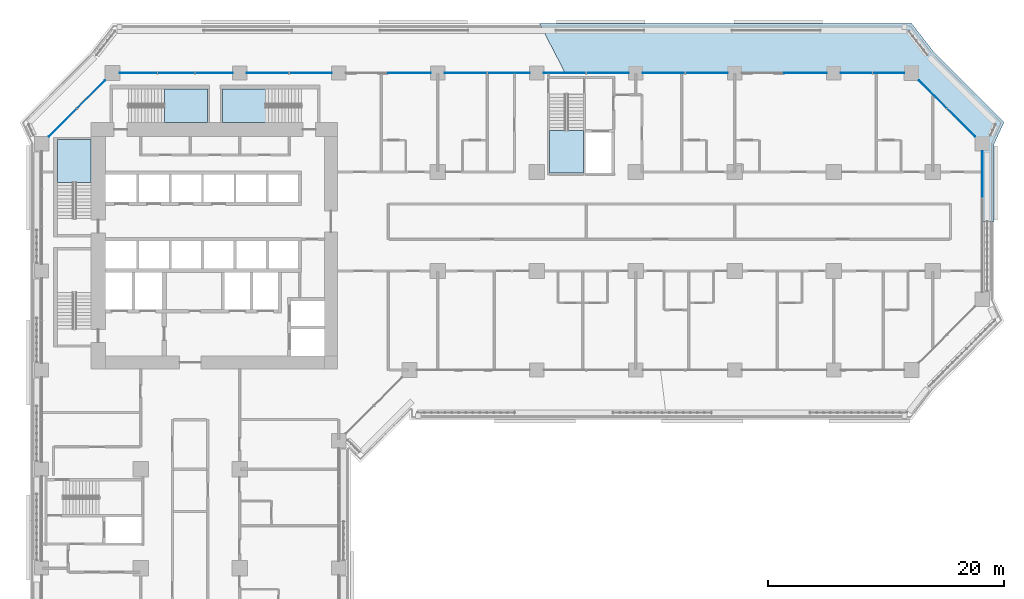
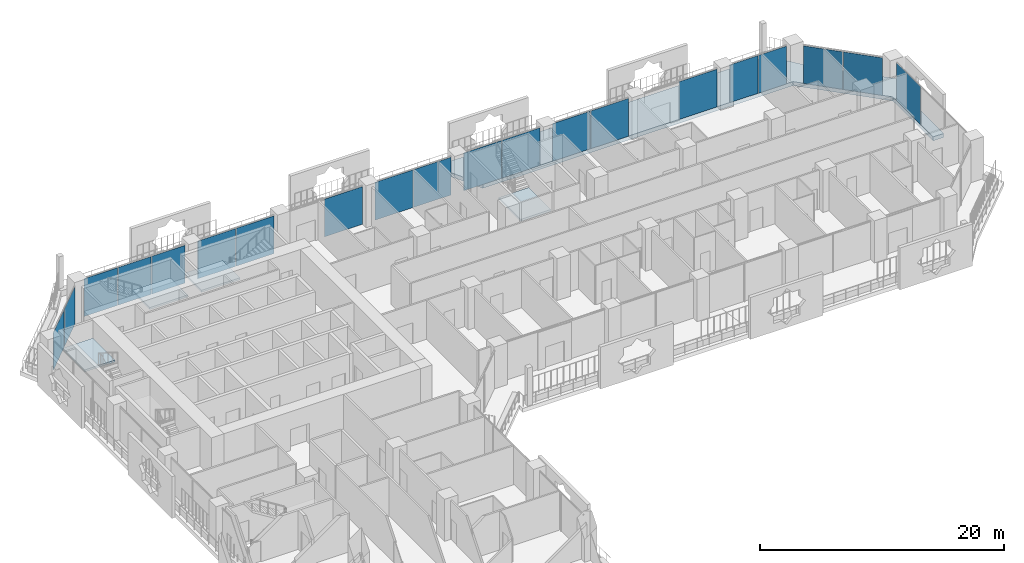
# One storey, part 12 of 28: 20 plates, 5 slabs, 8 elements without a shape of their own.
"""IFC4 building model written with IfcOpenShell, lengths in metres."""

from ifc_helpers import new_model, si_unit, direction, frame, origin, origin_2d, place, context, subcontext, project, spatial, polyline, rectangle, outline, extrude, material, layer, layer_set, type_object, element, aggregate, save


model = new_model("IFC4")

# Units and contexts
model_context = context("Model", 3, precision=1e-05, world=origin(), true_north=direction((0.0, 1.0)))
body_context = subcontext(model_context, "Body", "Model", "MODEL_VIEW")
ifc_project = project(units=[si_unit("LENGTHUNIT", "METRE"), si_unit("AREAUNIT", "SQUARE_METRE"), si_unit("VOLUMEUNIT", "CUBIC_METRE"), si_unit("PLANEANGLEUNIT", "RADIAN"), si_unit("MASSUNIT", "GRAM", prefix="KILO")], contexts=[model_context])

# Site, building, storey
site_placement = place(None, origin())
site = spatial("IfcSite", under=ifc_project, at=site_placement, CompositionType="ELEMENT")
building_placement = place(site_placement, origin())
building = spatial("IfcBuilding", under=site, at=building_placement, Name="Kawkab Arch Medical Tower", CompositionType="ELEMENT")
storey_placement = place(building_placement, frame((0.0, 0.0, 81.199951171875)))
storey = spatial("IfcBuildingStorey", under=building, at=storey_placement, Name="L18", CompositionType="ELEMENT", Elevation=81.199951171875)

# Curtain wall, plate
ifc_material_1 = material(Name="Bronze anodised aluminium curtain wall frame", Category="aluminium")
ifc_layer_1 = layer(ifc_material_1, 0.159912109375)
ifc_layer_set_1 = layer_set([ifc_layer_1], Name="Bronze anodised aluminium curtain wall frame")
curtain_wall_type_1 = type_object("IfcCurtainWallType", Name="CW1 ward curtain wall", PredefinedType="NOTDEFINED", material=ifc_layer_set_1)
placement_1 = place(storey_placement, origin())
curtain_wall_1 = element("IfcCurtainWall", 1, at=placement_1, inside=storey, type_object=curtain_wall_type_1, Name="CW1 Ward curtain wall R09", PredefinedType="NOTDEFINED")
ifc_material_2 = material(Name="Tinted insulating glass, bronze low-e coating", Category="glass")
ifc_layer_2 = layer(ifc_material_2, 0.031982421875)
ifc_layer_set_2 = layer_set([ifc_layer_2], Name="Tinted insulating glass, bronze low-e coating")
plate_type_1 = type_object("IfcPlateType", Name="CW1 glazing unit 32", PredefinedType="CURTAIN_PANEL", material=ifc_layer_set_2)
plate_1_placement = place(storey_placement, frame((79.800048828125, -8.6015625, 0.0), z_axis=(0.0, 0.0, 1.0), x_axis=(0.0, 1.0, 0.0)))
plate_1 = element("IfcPlate", 2, at=plate_1_placement, type_object=plate_type_1, Name="CW1 glazing unit 1.3", PredefinedType="CURTAIN_PANEL", context=body_context, shape_type="SweptSolid", body=[
    extrude(rectangle(XDim=3.953369140625, YDim=0.031982421875, at=origin_2d()), origin(), (0.0, 0.0, 1.0), 3.780029296875),
])
aggregate(curtain_wall_1, [plate_1])

# Curtain wall, plates
curtain_wall_2 = element("IfcCurtainWall", 3, at=placement_1, inside=storey, type_object=curtain_wall_type_1, Name="CW1 Ward curtain wall R11", PredefinedType="NOTDEFINED")
plate_2_placement = place(storey_placement, frame((71.84619140625, 0.0, 0.0), z_axis=(0.0, 0.0, 1.0), x_axis=(-1.0, 0.0, 0.0)))
plate_2 = element("IfcPlate", 4, at=plate_2_placement, type_object=plate_type_1, Name="CW1 glazing unit 1.1", PredefinedType="CURTAIN_PANEL", context=body_context, shape_type="SweptSolid", body=[
    extrude(rectangle(XDim=2.657470703125, YDim=0.031982421875, at=origin_2d()), origin(), (0.0, 0.0, 1.0), 3.780029296875),
])
plate_3_placement = place(storey_placement, frame((69.128662109375, 0.0, 0.0), z_axis=(0.0, 0.0, 1.0), x_axis=(-1.0, 0.0, 0.0)))
plate_3 = element("IfcPlate", 5, at=plate_3_placement, type_object=plate_type_1, Name="CW1 glazing unit 1.2", PredefinedType="CURTAIN_PANEL", context=body_context, shape_type="SweptSolid", body=[
    extrude(rectangle(XDim=2.657470703125, YDim=0.031982421875, at=origin_2d()), origin(), (0.0, 0.0, 1.0), 3.780029296875),
])
plate_4_placement = place(storey_placement, frame((64.800048828125, 0.0, 0.0), z_axis=(0.0, 0.0, 1.0), x_axis=(-1.0, 0.0, 0.0)))
plate_4 = element("IfcPlate", 6, at=plate_4_placement, type_object=plate_type_1, Name="CW1 glazing unit 2.1", PredefinedType="CURTAIN_PANEL", context=body_context, shape_type="SweptSolid", body=[
    extrude(rectangle(XDim=3.60009765625, YDim=0.031982421875, at=origin_2d()), origin(), (0.0, 0.0, 1.0), 3.780029296875),
])
plate_5_placement = place(storey_placement, frame((56.4150390625, 0.0, 0.0), z_axis=(0.0, 0.0, 1.0), x_axis=(-1.0, 0.0, 0.0)))
plate_5 = element("IfcPlate", 7, at=plate_5_placement, type_object=plate_type_1, Name="CW1 glazing unit 3.1", PredefinedType="CURTAIN_PANEL", context=body_context, shape_type="SweptSolid", body=[
    extrude(rectangle(XDim=3.570068359375, YDim=0.031982421875, at=origin_2d()), origin(), (0.0, 0.0, 1.0), 3.780029296875),
])
plate_6_placement = place(storey_placement, frame((52.784912109375, 0.0, 0.0), z_axis=(0.0, 0.0, 1.0), x_axis=(-1.0, 0.0, 0.0)))
plate_6 = element("IfcPlate", 8, at=plate_6_placement, type_object=plate_type_1, Name="CW1 glazing unit 3.2", PredefinedType="CURTAIN_PANEL", context=body_context, shape_type="SweptSolid", body=[
    extrude(rectangle(XDim=3.570068359375, YDim=0.031982421875, at=origin_2d()), origin(), (0.0, 0.0, 1.0), 3.780029296875),
])
plate_7_placement = place(storey_placement, frame((48.014892578125, 0.0, 0.0), z_axis=(0.0, 0.0, 1.0), x_axis=(-1.0, 0.0, 0.0)))
plate_7 = element("IfcPlate", 9, at=plate_7_placement, type_object=plate_type_1, Name="CW1 glazing unit 4.1", PredefinedType="CURTAIN_PANEL", context=body_context, shape_type="SweptSolid", body=[
    extrude(rectangle(XDim=3.570068359375, YDim=0.031982421875, at=origin_2d()), origin(), (0.0, 0.0, 1.0), 3.780029296875),
])
plate_8_placement = place(storey_placement, frame((44.385009765625, 0.0, 0.0), z_axis=(0.0, 0.0, 1.0), x_axis=(-1.0, 0.0, 0.0)))
plate_8 = element("IfcPlate", 10, at=plate_8_placement, type_object=plate_type_1, Name="CW1 glazing unit 4.2", PredefinedType="CURTAIN_PANEL", context=body_context, shape_type="SweptSolid", body=[
    extrude(rectangle(XDim=3.570068359375, YDim=0.031982421875, at=origin_2d()), origin(), (0.0, 0.0, 1.0), 3.780029296875),
])
plate_9_placement = place(storey_placement, frame((39.614990234375, 0.0, 0.0), z_axis=(0.0, 0.0, 1.0), x_axis=(-1.0, 0.0, 0.0)))
plate_9 = element("IfcPlate", 11, at=plate_9_placement, type_object=plate_type_1, Name="CW1 glazing unit 5.1", PredefinedType="CURTAIN_PANEL", context=body_context, shape_type="SweptSolid", body=[
    extrude(rectangle(XDim=3.570068359375, YDim=0.031982421875, at=origin_2d()), origin(), (0.0, 0.0, 1.0), 3.780029296875),
])
plate_10_placement = place(storey_placement, frame((35.985107421875, 0.0, 0.0), z_axis=(0.0, 0.0, 1.0), x_axis=(-1.0, 0.0, 0.0)))
plate_10 = element("IfcPlate", 12, at=plate_10_placement, type_object=plate_type_1, Name="CW1 glazing unit 5.2", PredefinedType="CURTAIN_PANEL", context=body_context, shape_type="SweptSolid", body=[
    extrude(rectangle(XDim=3.570068359375, YDim=0.031982421875, at=origin_2d()), origin(), (0.0, 0.0, 1.0), 3.780029296875),
])
plate_11_placement = place(storey_placement, frame((31.199951171875, 0.0, 0.0), z_axis=(0.0, 0.0, 1.0), x_axis=(-1.0, 0.0, 0.0)))
plate_11 = element("IfcPlate", 13, at=plate_11_placement, type_object=plate_type_1, Name="CW1 glazing unit 6.1", PredefinedType="CURTAIN_PANEL", context=body_context, shape_type="SweptSolid", body=[
    extrude(rectangle(XDim=3.60009765625, YDim=0.031982421875, at=origin_2d()), origin(), (0.0, 0.0, 1.0), 3.780029296875),
])
plate_12_placement = place(storey_placement, frame((22.81494140625, 0.0, 0.0), z_axis=(0.0, 0.0, 1.0), x_axis=(-1.0, 0.0, 0.0)))
plate_12 = element("IfcPlate", 14, at=plate_12_placement, type_object=plate_type_1, Name="CW1 glazing unit 7.1", PredefinedType="CURTAIN_PANEL", context=body_context, shape_type="SweptSolid", body=[
    extrude(rectangle(XDim=3.570068359375, YDim=0.031982421875, at=origin_2d()), origin(), (0.0, 0.0, 1.0), 3.780029296875),
])
plate_13_placement = place(storey_placement, frame((19.18505859375, 0.0, 0.0), z_axis=(0.0, 0.0, 1.0), x_axis=(-1.0, 0.0, 0.0)))
plate_13 = element("IfcPlate", 15, at=plate_13_placement, type_object=plate_type_1, Name="CW1 glazing unit 7.2", PredefinedType="CURTAIN_PANEL", context=body_context, shape_type="SweptSolid", body=[
    extrude(rectangle(XDim=3.570068359375, YDim=0.031982421875, at=origin_2d()), origin(), (0.0, 0.0, 1.0), 3.780029296875),
])
plate_14_placement = place(storey_placement, frame((14.619140625, 0.0, 0.0), z_axis=(0.0, 0.0, 1.0), x_axis=(-1.0, 0.0, 0.0)))
plate_14 = element("IfcPlate", 16, at=plate_14_placement, type_object=plate_type_1, Name="CW1 glazing unit 8.1", PredefinedType="CURTAIN_PANEL", context=body_context, shape_type="SweptSolid", body=[
    extrude(rectangle(XDim=3.16162109375, YDim=0.031982421875, at=origin_2d()), origin(), (0.0, 0.0, 1.0), 3.780029296875),
])
plate_15_placement = place(storey_placement, frame((11.41259765625, 0.0, 0.0), z_axis=(0.0, 0.0, 1.0), x_axis=(-1.0, 0.0, 0.0)))
plate_15 = element("IfcPlate", 17, at=plate_15_placement, type_object=plate_type_1, Name="CW1 glazing unit 8.2", PredefinedType="CURTAIN_PANEL", context=body_context, shape_type="SweptSolid", body=[
    extrude(rectangle(XDim=3.131591796875, YDim=0.031982421875, at=origin_2d()), origin(), (0.0, 0.0, 1.0), 3.780029296875),
])
plate_16_placement = place(storey_placement, frame((8.205810546875, 0.0, 0.0), z_axis=(0.0, 0.0, 1.0), x_axis=(-1.0, 0.0, 0.0)))
plate_16 = element("IfcPlate", 18, at=plate_16_placement, type_object=plate_type_1, Name="CW1 glazing unit 8.3", PredefinedType="CURTAIN_PANEL", context=body_context, shape_type="SweptSolid", body=[
    extrude(rectangle(XDim=3.16162109375, YDim=0.031982421875, at=origin_2d()), origin(), (0.0, 0.0, 1.0), 3.780029296875),
])
aggregate(curtain_wall_2, [plate_2, plate_3, plate_4, plate_5, plate_6, plate_7, plate_8, plate_9, plate_10, plate_11, plate_12, plate_13, plate_14, plate_15, plate_16])

ifc_material_3 = material(Name="Bronze anodised aluminium curtain wall frame", Category="aluminium")
ifc_layer_3 = layer(ifc_material_3, 0.159912109375)
ifc_layer_set_3 = layer_set([ifc_layer_3], Name="Bronze anodised aluminium curtain wall frame")
curtain_wall_type_2 = type_object("IfcCurtainWallType", Name="CW2 chamfer curtain wall", PredefinedType="NOTDEFINED", material=ifc_layer_set_3)
curtain_wall_3 = element("IfcCurtainWall", 19, at=placement_1, inside=storey, type_object=curtain_wall_type_2, Name="CW2 Chamfer curtain wall R10", PredefinedType="NOTDEFINED")
ifc_material_4 = material(Name="Tinted insulating glass, bronze low-e coating", Category="glass")
ifc_layer_4 = layer(ifc_material_4, 0.031982421875)
ifc_layer_set_4 = layer_set([ifc_layer_4], Name="Tinted insulating glass, bronze low-e coating")
plate_type_2 = type_object("IfcPlateType", Name="CW2 glazing unit 32", PredefinedType="CURTAIN_PANEL", material=ifc_layer_set_4)
plate_17_placement = place(storey_placement, frame((77.998046875, -4.197998046875, 0.0), z_axis=(0.0, 0.0, 1.0), x_axis=(-0.707106781187, 0.707106781187, 0.0)))
plate_17 = element("IfcPlate", 20, at=plate_17_placement, type_object=plate_type_2, Name="CW2 glazing unit 1.1", PredefinedType="CURTAIN_PANEL", context=body_context, shape_type="SweptSolid", body=[
    extrude(rectangle(XDim=3.328857421875, YDim=0.031982421875, at=origin_2d()), origin(), (0.0, 0.0, 1.0), 3.760009765625),
])
plate_18_placement = place(storey_placement, frame((75.601806640625, -1.802001953125, 0.0), z_axis=(0.0, 0.0, 1.0), x_axis=(-0.707106781187, 0.707106781187, 0.0)))
plate_18 = element("IfcPlate", 21, at=plate_18_placement, type_object=plate_type_2, Name="CW2 glazing unit 1.2", PredefinedType="CURTAIN_PANEL", context=body_context, shape_type="SweptSolid", body=[
    extrude(rectangle(XDim=3.328857421875, YDim=0.031982421875, at=origin_2d()), origin(), (0.0, 0.0, 1.0), 3.760009765625),
])
aggregate(curtain_wall_3, [plate_17, plate_18])

curtain_wall_4 = element("IfcCurtainWall", 22, at=placement_1, inside=storey, type_object=curtain_wall_type_2, Name="CW2 Chamfer curtain wall R12", PredefinedType="NOTDEFINED")
plate_19_placement = place(storey_placement, frame((4.197998046875, -1.802001953125, 0.0), z_axis=(0.0, 0.0, 1.0), x_axis=(-0.707106781187, -0.707106781187, 0.0)))
plate_19 = element("IfcPlate", 23, at=plate_19_placement, type_object=plate_type_2, Name="CW2 glazing unit 1.1", PredefinedType="CURTAIN_PANEL", context=body_context, shape_type="SweptSolid", body=[
    extrude(rectangle(XDim=3.328857421875, YDim=0.031982421875, at=origin_2d()), origin(), (0.0, 0.0, 1.0), 3.760009765625),
])
plate_20_placement = place(storey_placement, frame((1.802001953125, -4.197998046875, 0.0), z_axis=(0.0, 0.0, 1.0), x_axis=(-0.707106781187, -0.707106781187, 0.0)))
plate_20 = element("IfcPlate", 24, at=plate_20_placement, type_object=plate_type_2, Name="CW2 glazing unit 1.2", PredefinedType="CURTAIN_PANEL", context=body_context, shape_type="SweptSolid", body=[
    extrude(rectangle(XDim=3.328857421875, YDim=0.031982421875, at=origin_2d()), origin(), (0.0, 0.0, 1.0), 3.760009765625),
])
aggregate(curtain_wall_4, [plate_19, plate_20])

# Stair, slab
ifc_material_5 = material(Name="Concrete C40/50", Category="concrete")
stair_type = type_object("IfcStairType", Name="Exit stair 1350", PredefinedType="HALF_TURN_STAIR", material=ifc_material_5)
stair_1 = element("IfcStair", 25, at=placement_1, inside=storey, type_object=stair_type, Name="L18 Exit stair ST1", PredefinedType="HALF_TURN_STAIR")
ifc_material_6 = material(Name="Concrete C40/50", Category="concrete")
ifc_layer_5 = layer(ifc_material_6, 0.199951171875)
ifc_layer_set_5 = layer_set([ifc_layer_5], Name="Concrete C40/50")
slab_type_1 = type_object("IfcSlabType", Name="Exit stair landing 200", PredefinedType="LANDING", material=ifc_layer_set_5)
placement_2 = place(storey_placement, frame((0.0, 0.0, 1.900146484375)))
slab_1 = element("IfcSlab", 26, at=placement_2, type_object=slab_type_1, Name="ST1 landing 1", PredefinedType="LANDING", context=body_context, shape_type="SweptSolid", body=[
    extrude(outline(polyline([(4.199951171875, -9.27001953125), (4.199951171875, -5.64990234375), (1.35009765625, -5.64990234375), (1.35009765625, -9.27001953125), (4.199951171875, -9.27001953125)])), origin(), (0.0, 0.0, 1.0), 0.199951171875),
])
aggregate(stair_1, [slab_1])

stair_2 = element("IfcStair", 27, at=placement_1, inside=storey, type_object=stair_type, Name="L18 Exit stair ST3", PredefinedType="HALF_TURN_STAIR")
slab_2 = element("IfcSlab", 28, at=placement_2, type_object=slab_type_1, Name="ST3 landing 1", PredefinedType="LANDING", context=body_context, shape_type="SweptSolid", body=[
    extrude(outline(polyline([(10.429931640625, -4.199951171875), (14.050048828125, -4.199951171875), (14.050048828125, -1.35009765625), (10.429931640625, -1.35009765625), (10.429931640625, -4.199951171875)])), origin(), (0.0, 0.0, 1.0), 0.199951171875),
])
aggregate(stair_2, [slab_2])

stair_3 = element("IfcStair", 29, at=placement_1, inside=storey, type_object=stair_type, Name="L18 Exit stair ST4", PredefinedType="HALF_TURN_STAIR")
slab_3 = element("IfcSlab", 30, at=placement_2, type_object=slab_type_1, Name="ST4 landing 1", PredefinedType="LANDING", context=body_context, shape_type="SweptSolid", body=[
    extrude(outline(polyline([(18.969970703125, -1.35009765625), (15.35009765625, -1.35009765625), (15.35009765625, -4.199951171875), (18.969970703125, -4.199951171875), (18.969970703125, -1.35009765625)])), origin(), (0.0, 0.0, 1.0), 0.199951171875),
])
aggregate(stair_3, [slab_3])

stair_4 = element("IfcStair", 31, at=placement_1, inside=storey, type_object=stair_type, Name="L18 Exit stair ST5", PredefinedType="HALF_TURN_STAIR")
slab_4 = element("IfcSlab", 32, at=placement_2, type_object=slab_type_1, Name="ST5 landing 1", PredefinedType="LANDING", context=body_context, shape_type="SweptSolid", body=[
    extrude(outline(polyline([(43.10009765625, -4.8798828125), (43.10009765625, -8.5), (45.949951171875, -8.5), (45.949951171875, -4.8798828125), (43.10009765625, -4.8798828125)])), origin(), (0.0, 0.0, 1.0), 0.199951171875),
])
aggregate(stair_4, [slab_4])

# Slab
ifc_material_7 = material(Name="Concrete C40/50", Category="concrete")
ifc_layer_6 = layer(ifc_material_7, 0.39990234375)
ifc_layer_set_6 = layer_set([ifc_layer_6], Name="Concrete C40/50")
slab_type_2 = type_object("IfcSlabType", Name="Loggia slab 400", PredefinedType="FLOOR", material=ifc_layer_set_6)
slab_5_placement = place(storey_placement, frame((0.0, 0.0, -0.39990234375)))
element("IfcSlab", 33, at=slab_5_placement, inside=storey, type_object=slab_type_2, Name="Loggia slab L18.6", PredefinedType="FLOOR", context=body_context, shape_type="SweptSolid", body=[
    extrude(outline(polyline([(75.637939453125, 1.837890625), (81.637939453125, -4.162109375), (80.800048828125, -6.0), (80.800048828125, -12.60009765625), (79.800048828125, -12.60009765625), (79.800048828125, -6.0), (73.800048828125, 0.0), (73.800048828125, 0.0009765625), (44.410888671875, 0.0009765625), (42.23388671875, 4.199951171875), (73.800048828125, 4.199951171875), (75.637939453125, 1.837890625)])), origin(), (0.0, 0.0, 1.0), 0.39990234375),
])

save(model, "model.ifc")
